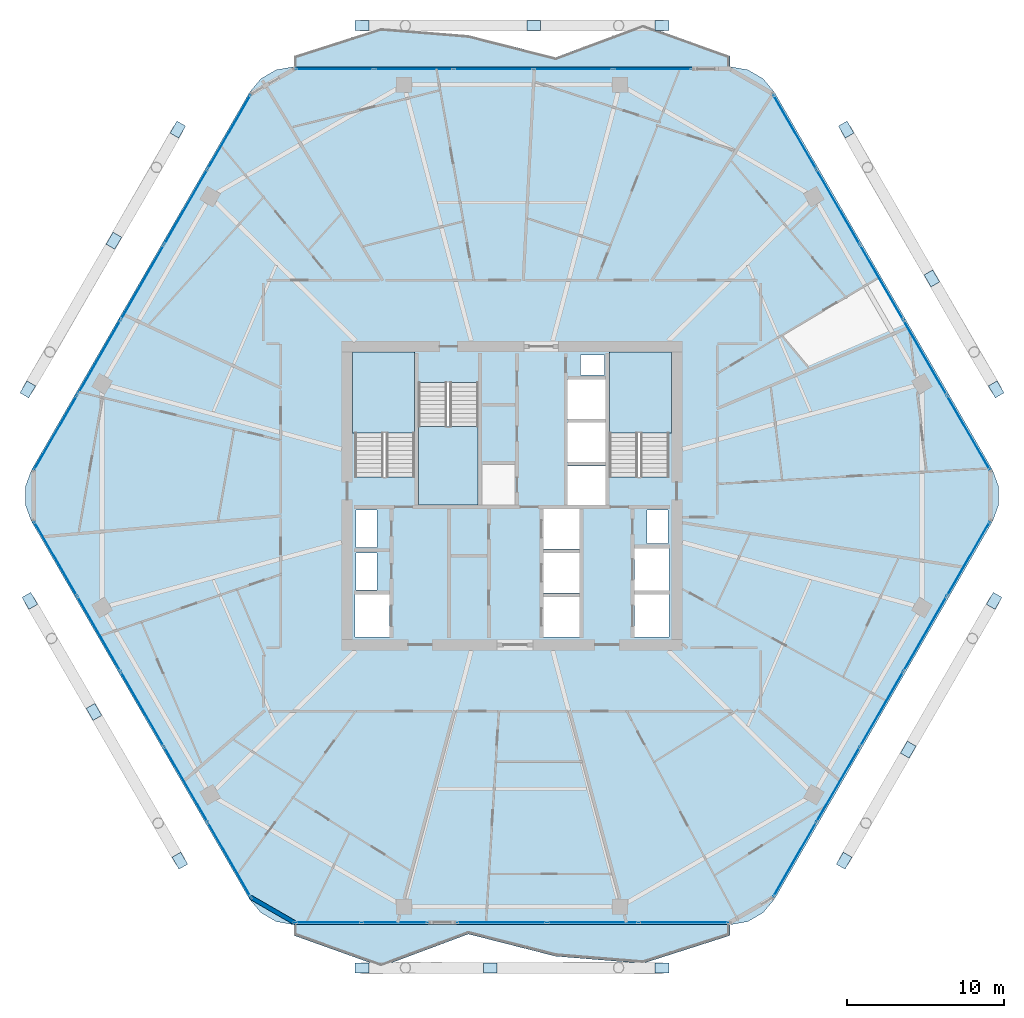
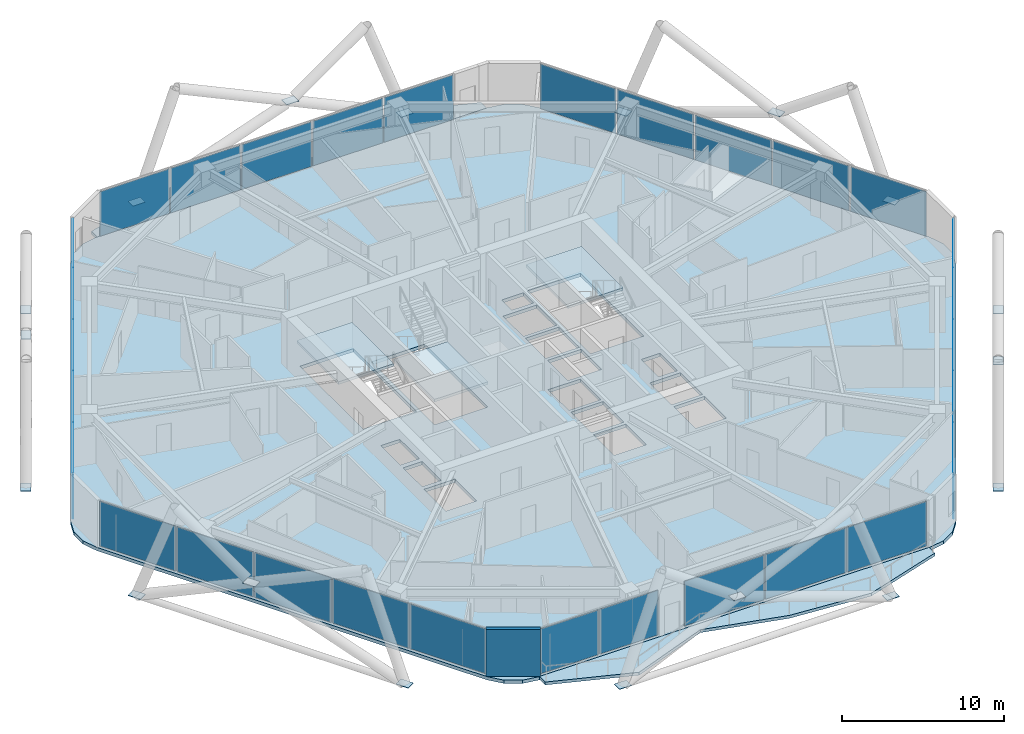
# One storey, part 20 of 29: 48 plates, 6 slabs, 1 wall, 10 elements without a shape of their own.
"""IFC4 building model written with IfcOpenShell, lengths in metres."""

from ifc_helpers import new_model, si_unit, direction, frame, frame_2d, origin, origin_2d, place, context, subcontext, project, spatial, polyline, rectangle, outline, extrude, material, layer, layer_set, type_object, element, aggregate, save


model = new_model("IFC4")

# Units and contexts
model_context = context("Model", 3, precision=1e-05, world=origin(), true_north=direction((0.0, 1.0)))
body_context = subcontext(model_context, "Body", "Model", "MODEL_VIEW")
ifc_project = project(units=[si_unit("LENGTHUNIT", "METRE"), si_unit("AREAUNIT", "SQUARE_METRE"), si_unit("VOLUMEUNIT", "CUBIC_METRE"), si_unit("PLANEANGLEUNIT", "RADIAN"), si_unit("MASSUNIT", "GRAM", prefix="KILO")], contexts=[model_context])

# Site, building, storey
site_placement = place(None, origin())
site = spatial("IfcSite", under=ifc_project, at=site_placement, CompositionType="ELEMENT")
building_placement = place(site_placement, origin())
building = spatial("IfcBuilding", under=site, at=building_placement, Name="Zuhravey Tower", CompositionType="ELEMENT")
storey_placement = place(building_placement, frame((0.0, 0.0, 161.800048828125)))
storey = spatial("IfcBuildingStorey", under=building, at=storey_placement, Name="L40", CompositionType="ELEMENT", Elevation=161.800048828125)

# Plates
ifc_material_1 = material(Name="Steel SM460", Category="steel")
ifc_layer_1 = layer(ifc_material_1, 0.035888671875)
ifc_layer_set_1 = layer_set([ifc_layer_1], Name="Steel SM460")
plate_type_1 = type_object("IfcPlateType", Name="Exoskeleton Zone 2 Node Plate ND2", PredefinedType="SHEET", material=ifc_layer_set_1)
for number, where, z_axis, x_axis, name in (
    (1, (66.8388671875, 38.771728515625, -0.48193359375), (0.0, 0.0, 1.0), (-0.5, 0.866025403784, 0.0), "L40 Exoskeleton Node Gusset L40-01"),
    (2, (57.283935546875, 55.3212890625, -0.48193359375), (0.0, 0.0, 1.0), (-0.5, 0.866025403784, 0.0), "L40 Exoskeleton Node Gusset L40-02"),
    (3, (45.554931640625, 61.943115234375, -0.48193359375), (0.0, 0.0, 1.0), (-1.0, 0.0, 0.0), "L40 Exoskeleton Node Gusset L40-03"),
    (4, (26.445068359375, 61.943115234375, -0.48193359375), (0.0, 0.0, 1.0), (-1.0, 0.0, 0.0), "L40 Exoskeleton Node Gusset L40-04"),
    (5, (14.716064453125, 55.3212890625, -0.48193359375), (0.0, 0.0, 1.0), (-0.5, -0.866025403784, 0.0), "L40 Exoskeleton Node Gusset L40-05"),
    (6, (5.1611328125, 38.771728515625, -0.48193359375), (0.0, 0.0, 1.0), (-0.5, -0.866025403784, 0.0), "L40 Exoskeleton Node Gusset L40-06"),
    (7, (5.291015625, 25.30322265625, -0.48193359375), (0.0, 0.0, 1.0), (0.5, -0.866025403784, 0.0), "L40 Exoskeleton Node Gusset L40-07"),
    (8, (14.845947265625, 8.753662109375, -0.48193359375), (0.0, 0.0, 1.0), (0.5, -0.866025403784, 0.0), "L40 Exoskeleton Node Gusset L40-08"),
    (9, (26.445068359375, 1.906982421875, -0.48193359375), (0.0, 0.0, 1.0), (1.0, 0.0, 0.0), "L40 Exoskeleton Node Gusset L40-09"),
    (10, (45.554931640625, 1.906982421875, -0.48193359375), (0.0, 0.0, 1.0), (1.0, 0.0, 0.0), "L40 Exoskeleton Node Gusset L40-10"),
    (11, (57.154052734375, 8.753662109375, -0.48193359375), (0.0, 0.0, 1.0), (0.5, 0.866025403784, 0.0), "L40 Exoskeleton Node Gusset L40-11"),
    (12, (66.708984375, 25.30322265625, -0.48193359375), (0.0, 0.0, 1.0), (0.5, 0.866025403784, 0.0), "L40 Exoskeleton Node Gusset L40-12"),
    (13, (62.741943359375, 45.837890625, 3.31787109375), (0.0, 0.0, 1.0), (-0.5, 0.866025403784, 0.0), "L40 Face 1 Diagrid X-Crossing Plate"),
    (14, (37.386962890625, 61.943115234375, 3.31787109375), (0.0, 0.0, 1.0), (-1.0, 0.0, 0.0), "L40 Face 2 Diagrid X-Crossing Plate"),
    (15, (10.64501953125, 48.240234375, 3.31787109375), (0.0, 0.0, 1.0), (-0.5, -0.866025403784, 0.0), "L40 Face 3 Diagrid X-Crossing Plate"),
    (16, (9.375, 18.2294921875, 3.31787109375), (0.0, 0.0, 1.0), (0.5, -0.866025403784, 0.0), "L40 Face 4 Diagrid X-Crossing Plate"),
    (17, (34.613037109375, 1.921875, 3.31787109375), (0.0, 0.0, 1.0), (1.0, 0.0, 0.0), "L40 Face 5 Diagrid X-Crossing Plate"),
    (18, (61.238037109375, 15.8271484375, 3.31787109375), (0.0, 0.0, 1.0), (0.5, 0.866025403784, 0.0), "L40 Face 6 Diagrid X-Crossing Plate"),
):
    element("IfcPlate", number, at=place(storey_placement, frame(where, z_axis=z_axis, x_axis=x_axis)), inside=storey, type_object=plate_type_1, Name=name, PredefinedType="SHEET", context=body_context, shape_type="SweptSolid", body=[
        extrude(rectangle(XDim=0.8798828125, YDim=0.639892578125, at=origin_2d()), origin(), (0.0, 0.0, 1.0), 0.035888671875),
    ])

# Slabs
ifc_material_2 = material(Name="Concrete C50/60", Category="concrete")
ifc_layer_2 = layer(ifc_material_2, 0.25)
ifc_layer_set_2 = layer_set([ifc_layer_2], Name="Concrete C50/60")
slab_type_1 = type_object("IfcSlabType", Name="Residential Acoustic Slab 250", PredefinedType="FLOOR", material=ifc_layer_set_2)
slab_1_placement = place(storey_placement, frame((0.0, 0.0, -0.25)))
element("IfcSlab", 19, at=slab_1_placement, inside=storey, type_object=slab_type_1, Name="L40 Floor Slab FS25", PredefinedType="FLOOR", context=body_context, shape_type="SweptSolid", body=[
    extrude(outline(polyline([(66.61181640625, 30.375), (66.997802734375, 31.435546875), (66.997802734375, 32.564453125), (66.61181640625, 33.625), (52.713134765625, 57.697998046875), (51.98779296875, 58.562744140625), (51.01025390625, 59.127197265625), (49.898681640625, 59.322998046875), (22.101318359375, 59.322998046875), (20.98974609375, 59.127197265625), (20.01220703125, 58.562744140625), (19.286865234375, 57.697998046875), (5.38818359375, 33.625), (5.002197265625, 32.564453125), (5.002197265625, 31.435546875), (5.38818359375, 30.375), (19.286865234375, 6.302001953125), (20.01220703125, 5.437255859375), (20.98974609375, 4.872802734375), (22.101318359375, 4.677001953125), (49.898681640625, 4.677001953125), (51.01025390625, 4.872802734375), (51.98779296875, 5.437255859375), (52.713134765625, 6.302001953125), (66.61181640625, 30.375)]), holes=[polyline([(29.800048828125, 33.20068359375), (29.800048828125, 41.0), (26.0, 41.0), (26.0, 33.20068359375), (29.800048828125, 33.20068359375)]), polyline([(46.0, 33.20068359375), (46.0, 41.0), (42.199951171875, 41.0), (42.199951171875, 33.20068359375), (46.0, 33.20068359375)]), polyline([(30.050048828125, 39.199462890625), (30.050048828125, 31.39990234375), (33.85009765625, 31.39990234375), (33.85009765625, 39.199462890625), (30.050048828125, 39.199462890625)]), polyline([(38.0, 23.0), (40.300048828125, 23.0), (40.300048828125, 25.550048828125), (38.0, 25.550048828125), (38.0, 23.0)]), polyline([(38.0, 25.800048828125), (40.300048828125, 25.800048828125), (40.300048828125, 28.35009765625), (38.0, 28.35009765625), (38.0, 25.800048828125)]), polyline([(38.0, 28.60009765625), (40.300048828125, 28.60009765625), (40.300048828125, 31.14990234375), (38.0, 31.14990234375), (38.0, 28.60009765625)]), polyline([(39.550048828125, 31.39990234375), (41.949951171875, 31.39990234375), (41.949951171875, 33.89990234375), (39.550048828125, 33.89990234375), (39.550048828125, 31.39990234375)]), polyline([(39.550048828125, 34.14990234375), (41.949951171875, 34.14990234375), (41.949951171875, 36.64990234375), (39.550048828125, 36.64990234375), (39.550048828125, 34.14990234375)]), polyline([(39.550048828125, 36.89990234375), (41.949951171875, 36.89990234375), (41.949951171875, 39.39990234375), (39.550048828125, 39.39990234375), (39.550048828125, 36.89990234375)]), polyline([(26.0, 23.0), (28.199951171875, 23.0), (28.199951171875, 25.699951171875), (26.0, 25.699951171875), (26.0, 23.0)]), polyline([(43.800048828125, 23.0), (46.0, 23.0), (46.0, 25.699951171875), (43.800048828125, 25.699951171875), (43.800048828125, 23.0)]), polyline([(43.800048828125, 25.949951171875), (46.0, 25.949951171875), (46.0, 28.64990234375), (43.800048828125, 28.64990234375), (43.800048828125, 25.949951171875)]), polyline([(26.050048828125, 26.0), (27.39990234375, 26.0), (27.39990234375, 28.35009765625), (26.050048828125, 28.35009765625), (26.050048828125, 26.0)]), polyline([(26.050048828125, 28.699951171875), (27.39990234375, 28.699951171875), (27.39990234375, 31.10009765625), (26.050048828125, 31.10009765625), (26.050048828125, 28.699951171875)]), polyline([(44.60009765625, 28.949951171875), (45.949951171875, 28.949951171875), (45.949951171875, 31.10009765625), (44.60009765625, 31.10009765625), (44.60009765625, 28.949951171875)]), polyline([(40.35009765625, 39.699951171875), (41.89990234375, 39.699951171875), (41.89990234375, 40.949951171875), (40.35009765625, 40.949951171875), (40.35009765625, 39.699951171875)])]), origin(), (0.0, 0.0, 1.0), 0.25),
])
ifc_material_3 = material(Name="Concrete C40/50", Category="concrete")
ifc_layer_3 = layer(ifc_material_3, 0.219970703125)
ifc_layer_set_3 = layer_set([ifc_layer_3], Name="Concrete C40/50")
slab_type_2 = type_object("IfcSlabType", Name="Sinusoidal Residential Wave Balcony 220", PredefinedType="FLOOR", material=ifc_layer_set_3)
slab_2_placement = place(storey_placement, frame((0.0, 0.0, -0.219970703125)))
element("IfcSlab", 20, at=slab_2_placement, inside=storey, type_object=slab_type_2, Name="L40 Face 5 Wave Balcony WB22", PredefinedType="FLOOR", context=body_context, shape_type="SweptSolid", body=[
    extrude(outline(polyline([(22.110107421875, 4.69189453125), (49.889892578125, 4.69189453125), (49.889892578125, 3.991943359375), (44.333984375, 2.214111328125), (38.778076171875, 2.666015625), (33.221923828125, 4.080810546875), (27.666015625, 2.00537109375), (22.110107421875, 3.991943359375), (22.110107421875, 4.69189453125)])), origin(), (0.0, 0.0, 1.0), 0.219970703125),
])
slab_3_placement = place(storey_placement, frame((0.0, 0.0, -0.219970703125)))
element("IfcSlab", 21, at=slab_3_placement, inside=storey, type_object=slab_type_2, Name="L40 Face 2 Wave Balcony WB22", PredefinedType="FLOOR", context=body_context, shape_type="SweptSolid", body=[
    extrude(outline(polyline([(49.889892578125, 59.30810546875), (22.110107421875, 59.30810546875), (22.110107421875, 60.008056640625), (27.666015625, 61.785888671875), (33.221923828125, 61.333984375), (38.778076171875, 59.919189453125), (44.333984375, 61.99462890625), (49.889892578125, 60.008056640625), (49.889892578125, 59.30810546875)])), origin(), (0.0, 0.0, 1.0), 0.219970703125),
])

# Stair, slab
stair_type = type_object("IfcStairType", Name="Housing Storey Stair Assembly 3800", PredefinedType="HALF_TURN_STAIR", material=ifc_material_3)
stair_1_placement = place(storey_placement, origin())
stair_1 = element("IfcStair", 22, at=stair_1_placement, inside=storey, type_object=stair_type, Name="L40 Core Exit Stair ST1", PredefinedType="HALF_TURN_STAIR")
ifc_layer_4 = layer(ifc_material_3, 0.199951171875)
ifc_layer_set_4 = layer_set([ifc_layer_4], Name="Concrete C40/50")
slab_type_3 = type_object("IfcSlabType", Name="Stair Landing Slab 200", PredefinedType="LANDING", material=ifc_layer_set_4)
slab_4_placement = place(storey_placement, frame((0.0, 0.0, 1.699951171875)))
slab_4 = element("IfcSlab", 23, at=slab_4_placement, type_object=slab_type_3, Name="ST1 landing 1", PredefinedType="LANDING", context=body_context, shape_type="SweptSolid", body=[
    extrude(outline(polyline([(29.800048828125, 36.0), (29.800048828125, 41.14794921875), (25.85205078125, 41.14794921875), (25.85205078125, 36.0), (29.800048828125, 36.0)])), origin(), (0.0, 0.0, 1.0), 0.199951171875),
])
aggregate(stair_1, [slab_4])

stair_2_placement = place(storey_placement, origin())
stair_2 = element("IfcStair", 24, at=stair_2_placement, inside=storey, type_object=stair_type, Name="L40 Core Exit Stair ST2", PredefinedType="HALF_TURN_STAIR")
slab_5_placement = place(storey_placement, frame((0.0, 0.0, 1.699951171875)))
slab_5 = element("IfcSlab", 25, at=slab_5_placement, type_object=slab_type_3, Name="ST2 landing 1", PredefinedType="LANDING", context=body_context, shape_type="SweptSolid", body=[
    extrude(outline(polyline([(46.14794921875, 36.0), (46.14794921875, 41.14794921875), (42.199951171875, 41.14794921875), (42.199951171875, 36.0), (46.14794921875, 36.0)])), origin(), (0.0, 0.0, 1.0), 0.199951171875),
])
aggregate(stair_2, [slab_5])

stair_3_placement = place(storey_placement, origin())
stair_3 = element("IfcStair", 26, at=stair_3_placement, inside=storey, type_object=stair_type, Name="L40 Core Exit Stair ST3", PredefinedType="HALF_TURN_STAIR")
slab_6_placement = place(storey_placement, frame((0.0, 0.0, 1.699951171875)))
slab_6 = element("IfcSlab", 27, at=slab_6_placement, type_object=slab_type_3, Name="ST3 landing 1", PredefinedType="LANDING", context=body_context, shape_type="SweptSolid", body=[
    extrude(outline(polyline([(30.050048828125, 36.39990234375), (30.050048828125, 31.39990234375), (33.85009765625, 31.39990234375), (33.85009765625, 36.39990234375), (30.050048828125, 36.39990234375)])), origin(), (0.0, 0.0, 1.0), 0.199951171875),
])
aggregate(stair_3, [slab_6])

# Curtain wall, plates
ifc_material_4 = material(Name="Thermally broken anodised aluminium", Category="aluminium")
curtain_wall_type = type_object("IfcCurtainWallType", Name="Zone 1-2 Residential Curtain Wall CW3", PredefinedType="NOTDEFINED", material=ifc_material_4)
curtain_wall_1_placement = place(storey_placement, origin())
curtain_wall_1 = element("IfcCurtainWall", 28, at=curtain_wall_1_placement, inside=storey, type_object=curtain_wall_type, Name="L40 CW3 CW-L40-F6-1", PredefinedType="NOTDEFINED")
ifc_material_5 = material(Name="Triple low-E insulated vision glass", Category="glass")
ifc_layer_5 = layer(ifc_material_5, 0.0419921875)
ifc_layer_set_5 = layer_set([ifc_layer_5], Name="Triple low-E insulated vision glass")
plate_type_2 = type_object("IfcPlateType", Name="Triple Low-E Vision Panel", PredefinedType="CURTAIN_PANEL", material=ifc_layer_set_5)
plate_1_placement = place(storey_placement, frame((65.074462890625, 27.9921875, 0.08984375), z_axis=(0.0, 0.0, 1.0), x_axis=(-0.500000459979, -0.866025138215, 0.0)))
plate_1 = element("IfcPlate", 29, at=plate_1_placement, type_object=plate_type_2, Name="CW3 panel 1.1", PredefinedType="CURTAIN_PANEL", context=body_context, shape_type="SweptSolid", body=[
    extrude(rectangle(XDim=5.409423828125, YDim=0.0419921875, at=origin_2d()), origin(), (0.0, 0.0, 1.0), 3.3701171875),
])
plate_2_placement = place(storey_placement, frame((62.3134765625, 23.2099609375, 0.08984375), z_axis=(0.0, 0.0, 1.0), x_axis=(-0.500000459979, -0.866025138215, 0.0)))
plate_2 = element("IfcPlate", 30, at=plate_2_placement, type_object=plate_type_2, Name="CW3 panel 2.1", PredefinedType="CURTAIN_PANEL", context=body_context, shape_type="SweptSolid", body=[
    extrude(rectangle(XDim=5.454345703125, YDim=0.0419921875, at=origin_2d()), origin(), (0.0, 0.0, 1.0), 3.3701171875),
])
plate_3_placement = place(storey_placement, frame((59.541259765625, 18.408447265625, 0.08984375), z_axis=(0.0, 0.0, 1.0), x_axis=(-0.500000459979, -0.866025138215, 0.0)))
plate_3 = element("IfcPlate", 31, at=plate_3_placement, type_object=plate_type_2, Name="CW3 panel 3.1", PredefinedType="CURTAIN_PANEL", context=body_context, shape_type="SweptSolid", body=[
    extrude(rectangle(XDim=5.454345703125, YDim=0.0419921875, at=origin_2d()), origin(), (0.0, 0.0, 1.0), 3.3701171875),
])
plate_4_placement = place(storey_placement, frame((56.76904296875, 13.60693359375, 0.08984375), z_axis=(0.0, 0.0, 1.0), x_axis=(-0.500000459979, -0.866025138215, 0.0)))
plate_4 = element("IfcPlate", 32, at=plate_4_placement, type_object=plate_type_2, Name="CW3 panel 4.1", PredefinedType="CURTAIN_PANEL", context=body_context, shape_type="SweptSolid", body=[
    extrude(rectangle(XDim=5.454345703125, YDim=0.0419921875, at=origin_2d()), origin(), (0.0, 0.0, 1.0), 3.3701171875),
])
plate_5_placement = place(storey_placement, frame((54.008056640625, 8.82470703125, 0.08984375), z_axis=(0.0, 0.0, 1.0), x_axis=(-0.500000459979, -0.866025138215, 0.0)))
plate_5 = element("IfcPlate", 33, at=plate_5_placement, type_object=plate_type_2, Name="CW3 panel 5.1", PredefinedType="CURTAIN_PANEL", context=body_context, shape_type="SweptSolid", body=[
    extrude(rectangle(XDim=5.409423828125, YDim=0.0419921875, at=origin_2d()), origin(), (0.0, 0.0, 1.0), 3.3701171875),
])
aggregate(curtain_wall_1, [plate_1, plate_2, plate_3, plate_4, plate_5])

curtain_wall_2_placement = place(storey_placement, origin())
curtain_wall_2 = element("IfcCurtainWall", 34, at=curtain_wall_2_placement, inside=storey, type_object=curtain_wall_type, Name="L40 CW3 CW-L40-F5-1", PredefinedType="NOTDEFINED")
plate_6_placement = place(storey_placement, frame((46.929931640625, 4.81689453125, 0.08984375), z_axis=(0.0, 0.0, 1.0), x_axis=(-1.0, 0.0, 0.0)))
plate_6 = element("IfcPlate", 35, at=plate_6_placement, type_object=plate_type_2, Name="CW3 panel 1.1", PredefinedType="CURTAIN_PANEL", context=body_context, shape_type="SweptSolid", body=[
    extrude(rectangle(XDim=5.682373046875, YDim=0.0419921875, at=origin_2d()), origin(), (0.0, 0.0, 1.0), 3.3701171875),
])
plate_7_placement = place(storey_placement, frame((41.13525390625, 4.81689453125, 0.08984375), z_axis=(0.0, 0.0, 1.0), x_axis=(-1.0, 0.0, 0.0)))
plate_7 = element("IfcPlate", 36, at=plate_7_placement, type_object=plate_type_2, Name="CW3 panel 2.1", PredefinedType="CURTAIN_PANEL", context=body_context, shape_type="SweptSolid", body=[
    extrude(rectangle(XDim=5.727294921875, YDim=0.0419921875, at=origin_2d()), origin(), (0.0, 0.0, 1.0), 3.3701171875),
])
plate_8_placement = place(storey_placement, frame((35.34033203125, 4.81689453125, 0.08984375), z_axis=(0.0, 0.0, 1.0), x_axis=(-1.0, 0.0, 0.0)))
plate_8 = element("IfcPlate", 37, at=plate_8_placement, type_object=plate_type_2, Name="CW3 panel 3.1", PredefinedType="CURTAIN_PANEL", context=body_context, shape_type="SweptSolid", body=[
    extrude(rectangle(XDim=5.682373046875, YDim=0.0419921875, at=origin_2d()), origin(), (0.0, 0.0, 1.0), 3.3701171875),
])
aggregate(curtain_wall_2, [plate_6, plate_7, plate_8])

curtain_wall_3_placement = place(storey_placement, origin())
curtain_wall_3 = element("IfcCurtainWall", 38, at=curtain_wall_3_placement, inside=storey, type_object=curtain_wall_type, Name="L40 CW3 CW-L40-F5-2", PredefinedType="NOTDEFINED")
plate_9_placement = place(storey_placement, frame((28.544189453125, 4.81689453125, 0.08984375), z_axis=(0.0, 0.0, 1.0), x_axis=(-1.0, 0.0, 0.0)))
plate_9 = element("IfcPlate", 39, at=plate_9_placement, type_object=plate_type_2, Name="CW3 panel 1.1", PredefinedType="CURTAIN_PANEL", context=body_context, shape_type="SweptSolid", body=[
    extrude(rectangle(XDim=4.150146484375, YDim=0.0419921875, at=origin_2d()), origin(), (0.0, 0.0, 1.0), 3.3701171875),
])
plate_10_placement = place(storey_placement, frame((24.303955078125, 4.81689453125, 0.08984375), z_axis=(0.0, 0.0, 1.0), x_axis=(-1.0, 0.0, 0.0)))
plate_10 = element("IfcPlate", 40, at=plate_10_placement, type_object=plate_type_2, Name="CW3 panel 2.1", PredefinedType="CURTAIN_PANEL", context=body_context, shape_type="SweptSolid", body=[
    extrude(rectangle(XDim=4.150146484375, YDim=0.0419921875, at=origin_2d()), origin(), (0.0, 0.0, 1.0), 3.3701171875),
])
aggregate(curtain_wall_3, [plate_9, plate_10])

curtain_wall_4_placement = place(storey_placement, origin())
curtain_wall_4 = element("IfcCurtainWall", 41, at=curtain_wall_4_placement, inside=storey, type_object=curtain_wall_type, Name="L40 CW3 CW-L40-F4-1", PredefinedType="NOTDEFINED")
plate_11_placement = place(storey_placement, frame((17.991943359375, 8.82470703125, 0.08984375), z_axis=(0.0, 0.0, 1.0), x_axis=(-0.500000459979, 0.866025138215, 0.0)))
plate_11 = element("IfcPlate", 42, at=plate_11_placement, type_object=plate_type_2, Name="CW3 panel 1.1", PredefinedType="CURTAIN_PANEL", context=body_context, shape_type="SweptSolid", body=[
    extrude(rectangle(XDim=5.409423828125, YDim=0.0419921875, at=origin_2d()), origin(), (0.0, 0.0, 1.0), 3.3701171875),
])
plate_12_placement = place(storey_placement, frame((15.23095703125, 13.60693359375, 0.08984375), z_axis=(0.0, 0.0, 1.0), x_axis=(-0.500000459979, 0.866025138215, 0.0)))
plate_12 = element("IfcPlate", 43, at=plate_12_placement, type_object=plate_type_2, Name="CW3 panel 2.1", PredefinedType="CURTAIN_PANEL", context=body_context, shape_type="SweptSolid", body=[
    extrude(rectangle(XDim=5.454345703125, YDim=0.0419921875, at=origin_2d()), origin(), (0.0, 0.0, 1.0), 3.3701171875),
])
plate_13_placement = place(storey_placement, frame((12.458740234375, 18.408447265625, 0.08984375), z_axis=(0.0, 0.0, 1.0), x_axis=(-0.500000459979, 0.866025138215, 0.0)))
plate_13 = element("IfcPlate", 44, at=plate_13_placement, type_object=plate_type_2, Name="CW3 panel 3.1", PredefinedType="CURTAIN_PANEL", context=body_context, shape_type="SweptSolid", body=[
    extrude(rectangle(XDim=5.454345703125, YDim=0.0419921875, at=origin_2d()), origin(), (0.0, 0.0, 1.0), 3.3701171875),
])
plate_14_placement = place(storey_placement, frame((9.6865234375, 23.2099609375, 0.08984375), z_axis=(0.0, 0.0, 1.0), x_axis=(-0.500000459979, 0.866025138215, 0.0)))
plate_14 = element("IfcPlate", 45, at=plate_14_placement, type_object=plate_type_2, Name="CW3 panel 4.1", PredefinedType="CURTAIN_PANEL", context=body_context, shape_type="SweptSolid", body=[
    extrude(rectangle(XDim=5.454345703125, YDim=0.0419921875, at=origin_2d()), origin(), (0.0, 0.0, 1.0), 3.3701171875),
])
plate_15_placement = place(storey_placement, frame((6.925537109375, 27.9921875, 0.08984375), z_axis=(0.0, 0.0, 1.0), x_axis=(-0.500000459979, 0.866025138215, 0.0)))
plate_15 = element("IfcPlate", 46, at=plate_15_placement, type_object=plate_type_2, Name="CW3 panel 5.1", PredefinedType="CURTAIN_PANEL", context=body_context, shape_type="SweptSolid", body=[
    extrude(rectangle(XDim=5.409423828125, YDim=0.0419921875, at=origin_2d()), origin(), (0.0, 0.0, 1.0), 3.3701171875),
])
aggregate(curtain_wall_4, [plate_11, plate_12, plate_13, plate_14, plate_15])

curtain_wall_5_placement = place(storey_placement, origin())
curtain_wall_5 = element("IfcCurtainWall", 47, at=curtain_wall_5_placement, inside=storey, type_object=curtain_wall_type, Name="L40 CW3 CW-L40-F3-1", PredefinedType="NOTDEFINED")
plate_16_placement = place(storey_placement, frame((6.925537109375, 36.0078125, 0.08984375), z_axis=(0.0, 0.0, 1.0), x_axis=(0.500000459979, 0.866025138215, 0.0)))
plate_16 = element("IfcPlate", 48, at=plate_16_placement, type_object=plate_type_2, Name="CW3 panel 1.1", PredefinedType="CURTAIN_PANEL", context=body_context, shape_type="SweptSolid", body=[
    extrude(rectangle(XDim=5.409423828125, YDim=0.0419921875, at=origin_2d()), origin(), (0.0, 0.0, 1.0), 3.3701171875),
])
plate_17_placement = place(storey_placement, frame((9.6865234375, 40.7900390625, 0.08984375), z_axis=(0.0, 0.0, 1.0), x_axis=(0.500000459979, 0.866025138215, 0.0)))
plate_17 = element("IfcPlate", 49, at=plate_17_placement, type_object=plate_type_2, Name="CW3 panel 2.1", PredefinedType="CURTAIN_PANEL", context=body_context, shape_type="SweptSolid", body=[
    extrude(rectangle(XDim=5.454345703125, YDim=0.0419921875, at=origin_2d()), origin(), (0.0, 0.0, 1.0), 3.3701171875),
])
plate_18_placement = place(storey_placement, frame((12.458740234375, 45.591552734375, 0.08984375), z_axis=(0.0, 0.0, 1.0), x_axis=(0.500000459979, 0.866025138215, 0.0)))
plate_18 = element("IfcPlate", 50, at=plate_18_placement, type_object=plate_type_2, Name="CW3 panel 3.1", PredefinedType="CURTAIN_PANEL", context=body_context, shape_type="SweptSolid", body=[
    extrude(rectangle(XDim=5.454345703125, YDim=0.0419921875, at=origin_2d()), origin(), (0.0, 0.0, 1.0), 3.3701171875),
])
plate_19_placement = place(storey_placement, frame((15.23095703125, 50.39306640625, 0.08984375), z_axis=(0.0, 0.0, 1.0), x_axis=(0.500000459979, 0.866025138215, 0.0)))
plate_19 = element("IfcPlate", 51, at=plate_19_placement, type_object=plate_type_2, Name="CW3 panel 4.1", PredefinedType="CURTAIN_PANEL", context=body_context, shape_type="SweptSolid", body=[
    extrude(rectangle(XDim=5.454345703125, YDim=0.0419921875, at=origin_2d()), origin(), (0.0, 0.0, 1.0), 3.3701171875),
])
plate_20_placement = place(storey_placement, frame((17.991943359375, 55.17529296875, 0.08984375), z_axis=(0.0, 0.0, 1.0), x_axis=(0.500000459979, 0.866025138215, 0.0)))
plate_20 = element("IfcPlate", 52, at=plate_20_placement, type_object=plate_type_2, Name="CW3 panel 5.1", PredefinedType="CURTAIN_PANEL", context=body_context, shape_type="SweptSolid", body=[
    extrude(rectangle(XDim=5.409423828125, YDim=0.0419921875, at=origin_2d()), origin(), (0.0, 0.0, 1.0), 3.3701171875),
])
aggregate(curtain_wall_5, [plate_16, plate_17, plate_18, plate_19, plate_20])

curtain_wall_6_placement = place(storey_placement, origin())
curtain_wall_6 = element("IfcCurtainWall", 53, at=curtain_wall_6_placement, inside=storey, type_object=curtain_wall_type, Name="L40 CW3 CW-L40-F2-1", PredefinedType="NOTDEFINED")
plate_21_placement = place(storey_placement, frame((24.69873046875, 59.18310546875, 0.08984375), z_axis=(0.0, 0.0, 1.0), x_axis=(1.0, 0.0, 0.0)))
plate_21 = element("IfcPlate", 54, at=plate_21_placement, type_object=plate_type_2, Name="CW3 panel 1.1", PredefinedType="CURTAIN_PANEL", context=body_context, shape_type="SweptSolid", body=[
    extrude(rectangle(XDim=4.939453125, YDim=0.0419921875, at=origin_2d()), origin(), (0.0, 0.0, 1.0), 3.3701171875),
])
plate_22_placement = place(storey_placement, frame((29.75048828125, 59.18310546875, 0.08984375), z_axis=(0.0, 0.0, 1.0), x_axis=(1.0, 0.0, 0.0)))
plate_22 = element("IfcPlate", 55, at=plate_22_placement, type_object=plate_type_2, Name="CW3 panel 2.1", PredefinedType="CURTAIN_PANEL", context=body_context, shape_type="SweptSolid", body=[
    extrude(rectangle(XDim=4.984375, YDim=0.0419921875, at=origin_2d()), origin(), (0.0, 0.0, 1.0), 3.3701171875),
])
plate_23_placement = place(storey_placement, frame((34.824951171875, 59.18310546875, 0.08984375), z_axis=(0.0, 0.0, 1.0), x_axis=(1.0, 0.0, 0.0)))
plate_23 = element("IfcPlate", 56, at=plate_23_placement, type_object=plate_type_2, Name="CW3 panel 3.1", PredefinedType="CURTAIN_PANEL", context=body_context, shape_type="SweptSolid", body=[
    extrude(rectangle(XDim=4.984375, YDim=0.0419921875, at=origin_2d()), origin(), (0.0, 0.0, 1.0), 3.3701171875),
])
plate_24_placement = place(storey_placement, frame((39.8994140625, 59.18310546875, 0.08984375), z_axis=(0.0, 0.0, 1.0), x_axis=(1.0, 0.0, 0.0)))
plate_24 = element("IfcPlate", 57, at=plate_24_placement, type_object=plate_type_2, Name="CW3 panel 4.1", PredefinedType="CURTAIN_PANEL", context=body_context, shape_type="SweptSolid", body=[
    extrude(rectangle(XDim=4.984375, YDim=0.0419921875, at=origin_2d()), origin(), (0.0, 0.0, 1.0), 3.3701171875),
])
plate_25_placement = place(storey_placement, frame((44.951416015625, 59.18310546875, 0.08984375), z_axis=(0.0, 0.0, 1.0), x_axis=(1.0, 0.0, 0.0)))
plate_25 = element("IfcPlate", 58, at=plate_25_placement, type_object=plate_type_2, Name="CW3 panel 5.1", PredefinedType="CURTAIN_PANEL", context=body_context, shape_type="SweptSolid", body=[
    extrude(rectangle(XDim=4.939453125, YDim=0.0419921875, at=origin_2d()), origin(), (0.0, 0.0, 1.0), 3.3701171875),
])
aggregate(curtain_wall_6, [plate_21, plate_22, plate_23, plate_24, plate_25])

curtain_wall_7_placement = place(storey_placement, origin())
curtain_wall_7 = element("IfcCurtainWall", 59, at=curtain_wall_7_placement, inside=storey, type_object=curtain_wall_type, Name="L40 CW3 CW-L40-F1-1", PredefinedType="NOTDEFINED")
plate_26_placement = place(storey_placement, frame((54.008056640625, 55.17529296875, 0.08984375), z_axis=(0.0, 0.0, 1.0), x_axis=(0.500000459979, -0.866025138215, 0.0)))
plate_26 = element("IfcPlate", 60, at=plate_26_placement, type_object=plate_type_2, Name="CW3 panel 1.1", PredefinedType="CURTAIN_PANEL", context=body_context, shape_type="SweptSolid", body=[
    extrude(rectangle(XDim=5.409423828125, YDim=0.0419921875, at=origin_2d()), origin(), (0.0, 0.0, 1.0), 3.3701171875),
])
plate_27_placement = place(storey_placement, frame((56.76904296875, 50.39306640625, 0.08984375), z_axis=(0.0, 0.0, 1.0), x_axis=(0.500000459979, -0.866025138215, 0.0)))
plate_27 = element("IfcPlate", 61, at=plate_27_placement, type_object=plate_type_2, Name="CW3 panel 2.1", PredefinedType="CURTAIN_PANEL", context=body_context, shape_type="SweptSolid", body=[
    extrude(rectangle(XDim=5.454345703125, YDim=0.0419921875, at=origin_2d()), origin(), (0.0, 0.0, 1.0), 3.3701171875),
])
plate_28_placement = place(storey_placement, frame((59.541259765625, 45.591552734375, 0.08984375), z_axis=(0.0, 0.0, 1.0), x_axis=(0.500000459979, -0.866025138215, 0.0)))
plate_28 = element("IfcPlate", 62, at=plate_28_placement, type_object=plate_type_2, Name="CW3 panel 3.1", PredefinedType="CURTAIN_PANEL", context=body_context, shape_type="SweptSolid", body=[
    extrude(rectangle(XDim=5.454345703125, YDim=0.0419921875, at=origin_2d()), origin(), (0.0, 0.0, 1.0), 3.3701171875),
])
plate_29_placement = place(storey_placement, frame((62.3134765625, 40.7900390625, 0.08984375), z_axis=(0.0, 0.0, 1.0), x_axis=(0.500000459979, -0.866025138215, 0.0)))
plate_29 = element("IfcPlate", 63, at=plate_29_placement, type_object=plate_type_2, Name="CW3 panel 4.1", PredefinedType="CURTAIN_PANEL", context=body_context, shape_type="SweptSolid", body=[
    extrude(rectangle(XDim=5.454345703125, YDim=0.0419921875, at=origin_2d()), origin(), (0.0, 0.0, 1.0), 3.3701171875),
])
plate_30_placement = place(storey_placement, frame((65.074462890625, 36.0078125, 0.08984375), z_axis=(0.0, 0.0, 1.0), x_axis=(0.500000459979, -0.866025138215, 0.0)))
plate_30 = element("IfcPlate", 64, at=plate_30_placement, type_object=plate_type_2, Name="CW3 panel 5.1", PredefinedType="CURTAIN_PANEL", context=body_context, shape_type="SweptSolid", body=[
    extrude(rectangle(XDim=5.409423828125, YDim=0.0419921875, at=origin_2d()), origin(), (0.0, 0.0, 1.0), 3.3701171875),
])
aggregate(curtain_wall_7, [plate_26, plate_27, plate_28, plate_29, plate_30])

# Wall
ifc_material_6 = material(Name="Precast concrete C40/50", Category="concrete")
ifc_layer_6 = layer(ifc_material_6, 0.280029296875)
ifc_layer_set_6 = layer_set([ifc_layer_6], Name="Precast concrete C40/50")
wall_type = type_object("IfcWallType", Name="Crown Architectural Wall 280", PredefinedType="SOLIDWALL", material=ifc_layer_set_6)
wall_placement = place(storey_placement, frame((22.22119140625, 4.769287109375, 0.0), z_axis=(0.0, 0.0, 1.0), x_axis=(-0.866020068361, 0.500009241111, 0.0)))
element("IfcWall", 65, at=wall_placement, inside=storey, type_object=wall_type, Name="L40 Rounded Corner Closure Wall EW28-04", PredefinedType="SOLIDWALL", context=body_context, shape_type="SweptSolid", body=[
    extrude(rectangle(XDim=3.365234375, YDim=0.280029296875, at=frame_2d((1.6826171875, 0.0))), origin(), (0.0, 0.0, 1.0), 3.550048828125),
])

save(model, "model.ifc")
